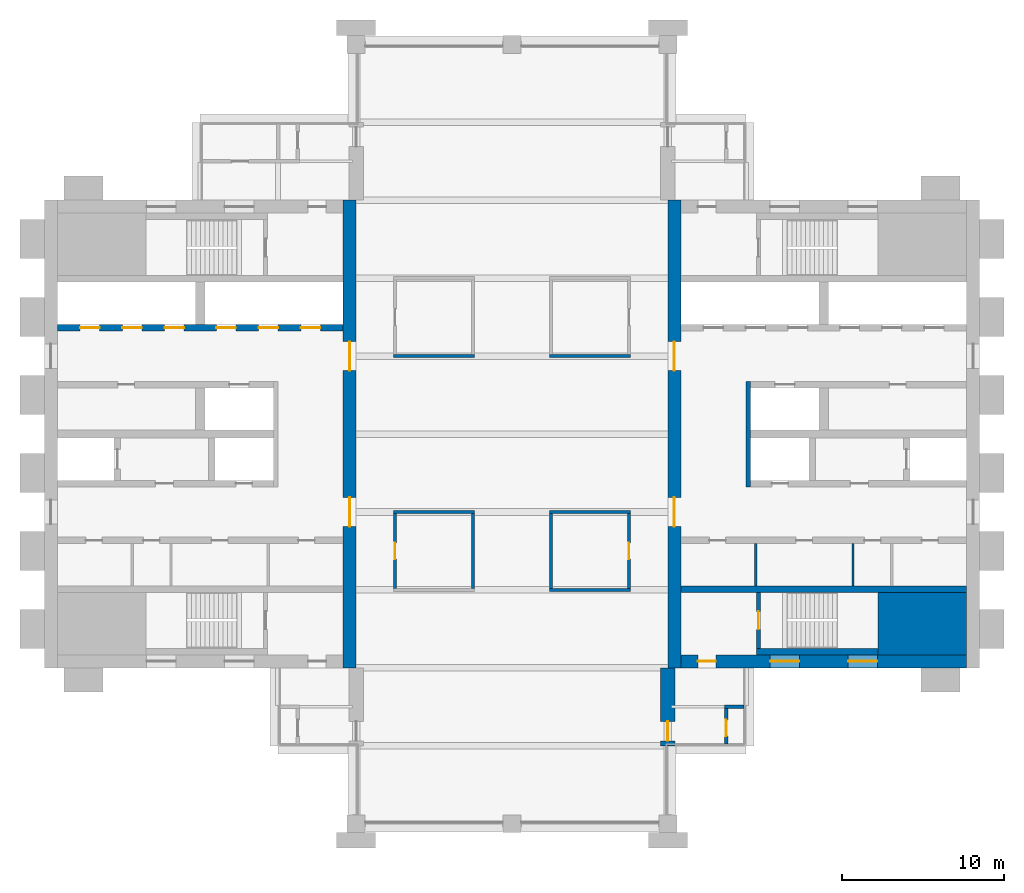
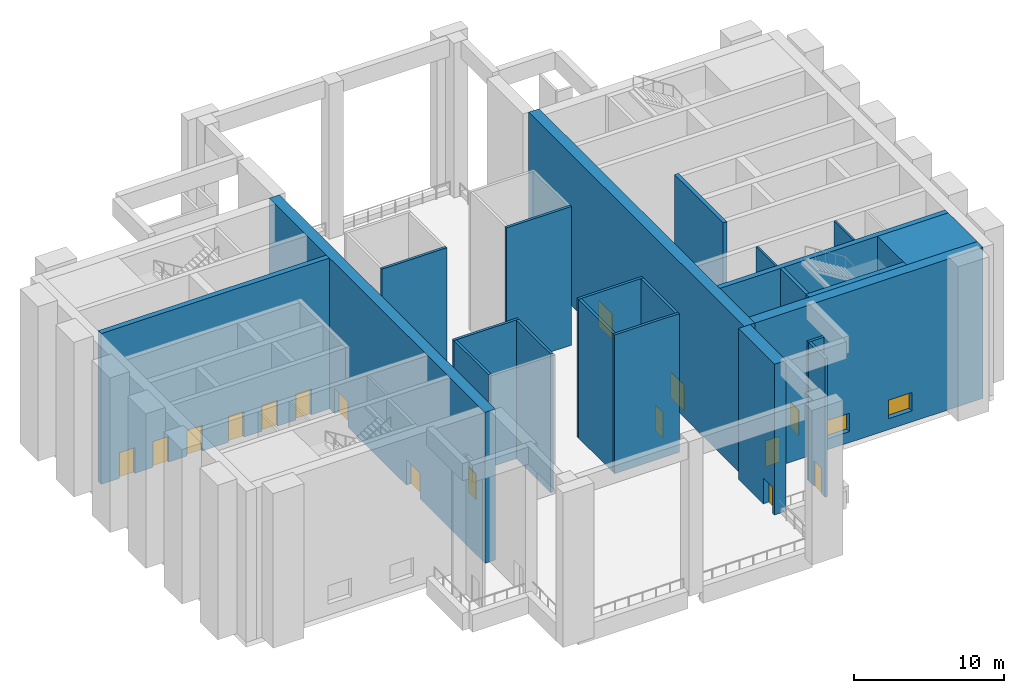
# One storey, part 3 of 8: 23 walls, 16 doors, 2 windows, 18 openings.
"""IFC4 building model written with IfcOpenShell, lengths in metres."""

from ifc_helpers import new_model, si_unit, direction, frame, frame_2d, origin, place, context, subcontext, project, spatial, rectangle, extrude, material, layer, layer_set, type_object, element, fill, save


model = new_model("IFC4")

# Units and contexts
model_context = context("Model", 3, precision=1e-05, world=origin(), true_north=direction((0.0, 1.0)))
body_context = subcontext(model_context, "Body", "Model", "MODEL_VIEW")
ifc_project = project(units=[si_unit("LENGTHUNIT", "METRE"), si_unit("AREAUNIT", "SQUARE_METRE"), si_unit("VOLUMEUNIT", "CUBIC_METRE"), si_unit("PLANEANGLEUNIT", "RADIAN"), si_unit("MASSUNIT", "GRAM", prefix="KILO")], contexts=[model_context])

# Site, building, storey
site_placement = place(None, origin())
site = spatial("IfcSite", under=ifc_project, at=site_placement, CompositionType="ELEMENT")
building_placement = place(site_placement, origin())
building = spatial("IfcBuilding", under=site, at=building_placement, Name="Baori Bourse Tower", CompositionType="ELEMENT")
storey_placement = place(building_placement, frame((0.0, 0.0, 269.699951171875)))
storey = spatial("IfcBuildingStorey", under=building, at=storey_placement, Name="L60", CompositionType="ELEMENT", Elevation=269.699951171875)

# Walls
ifc_material_1 = material(Name="Concrete f'c 50 MPa", Category="concrete")
wall_type_1 = type_object("IfcWallType", Name="Core corner block f'c 50", PredefinedType="SHEAR", material=ifc_material_1)
wall_1_placement = place(storey_placement, frame((51.35009765625, 12.324951171875, 0.0), z_axis=(0.0, 0.0, 1.0), x_axis=(1.0, 0.0, 0.0)))
element("IfcWall", 1, at=wall_1_placement, inside=storey, type_object=wall_type_1, Name="Core wall E04", PredefinedType="SHEAR", context=body_context, shape_type="SweptSolid", body=[
    extrude(rectangle(XDim=5.449951171875, YDim=3.85009765625, at=frame_2d((2.72509765625, 0.0))), origin(), (0.0, 0.0, 1.0), 12.300048828125),
])
ifc_material_2 = material(Name="Blockwork partition", Category="masonry")
ifc_layer_1 = layer(ifc_material_2, 0.14990234375)
ifc_layer_set_1 = layer_set([ifc_layer_1], Name="Core partition 150")
wall_type_2 = type_object("IfcWallType", Name="Core partition 150", PredefinedType="PARTITIONING", material=ifc_layer_set_1)
for number, where, z_axis, x_axis, name in (
    (2, (49.800048828125, 14.64990234375, 0.0), (0.0, 0.0, 1.0), (0.0, 1.0, 0.0), "Partition wall E09"),
    (3, (43.800048828125, 14.64990234375, 0.0), (0.0, 0.0, 1.0), (0.0, 1.0, 0.0), "Partition wall E10"),
):
    element("IfcWall", number, at=place(storey_placement, frame(where, z_axis=z_axis, x_axis=x_axis)), inside=storey, type_object=wall_type_2, Name=name, PredefinedType="PARTITIONING", context=body_context, shape_type="SweptSolid", body=[
        extrude(rectangle(XDim=2.60009765625, YDim=0.14990234375, at=frame_2d((1.300048828125, 0.0))), origin(), (0.0, 0.0, 1.0), 12.300048828125),
    ])

# Wall, openings, doors
ifc_material_3 = material(Name="Concrete f'c 50 MPa", Category="concrete")
ifc_layer_2 = layer(ifc_material_3, 0.800048828125)
ifc_layer_set_2 = layer_set([ifc_layer_2], Name="Core wall 800 f'c 50")
wall_type_3 = type_object("IfcWallType", Name="Core wall 800 f'c 50", PredefinedType="SHEAR", material=ifc_layer_set_2)
wall_2_placement = place(storey_placement, frame((18.800048828125, 38.39990234375, 0.0), z_axis=(0.0, 0.0, 1.0), x_axis=(0.0, -1.0, 0.0)))
wall_2 = element("IfcWall", 4, at=wall_2_placement, inside=storey, type_object=wall_type_3, Name="Core wall W03", PredefinedType="SHEAR", context=body_context, shape_type="SweptSolid", body=[
    extrude(rectangle(XDim=28.7998046875, YDim=0.800048828125, at=frame_2d((14.39990234375, 0.0))), origin(), (0.0, 0.0, 1.0), 12.300048828125),
])
opening_1_placement = place(wall_2_placement, frame((18.300048828125, 0.0, 0.0)))
opening_1 = element("IfcOpeningElement", 5, at=opening_1_placement, cuts=wall_2, Name="Opening L60-D107", PredefinedType="OPENING", context=body_context, shape_type="SweptSolid", body=[
    extrude(rectangle(XDim=1.800048828125, YDim=2.10009765625, at=frame_2d((0.89990234375, 1.050048828125))), frame((0.0, 0.409912109375, 0.0), z_axis=(0.0, -1.0, 0.0), x_axis=(1.0, 0.0, 0.0)), (0.0, 0.0, 1.0), 0.820068359375),
])
opening_2_placement = place(wall_2_placement, frame((8.699951171875, 0.0, 0.0)))
opening_2 = element("IfcOpeningElement", 6, at=opening_2_placement, cuts=wall_2, Name="Opening L60-D108", PredefinedType="OPENING", context=body_context, shape_type="SweptSolid", body=[
    extrude(rectangle(XDim=1.800048828125, YDim=2.10009765625, at=frame_2d((0.89990234375, 1.050048828125))), frame((0.0, 0.409912109375, 0.0), z_axis=(0.0, -1.0, 0.0), x_axis=(1.0, 0.0, 0.0)), (0.0, 0.0, 1.0), 0.820068359375),
])
ifc_material_4 = material(Name="Painted steel door", Category="steel")
door_type_1 = type_object("IfcDoorType", Name="Core lobby door 1800", OperationType="DOUBLE_DOOR_SINGLE_SWING", PredefinedType="DOOR", material=ifc_material_4)
door_1_placement = place(opening_1_placement, origin())
door_1 = element("IfcDoor", 7, at=door_1_placement, inside=storey, type_object=door_type_1, Name="Lobby door W L60", OperationType="DOUBLE_DOOR_SINGLE_SWING", OverallHeight=2.10009765625, OverallWidth=1.800048828125, PredefinedType="DOOR", context=body_context, shape_type="SweptSolid", body=[
    extrude(rectangle(XDim=1.800048828125, YDim=2.10009765625, at=frame_2d((0.89990234375, 1.050048828125))), frame((0.0, 0.02490234375, 0.0), z_axis=(0.0, -1.0, 0.0), x_axis=(1.0, 0.0, 0.0)), (0.0, 0.0, 1.0), 0.050048828125),
])
fill(opening_1, door_1)
door_2_placement = place(opening_2_placement, origin())
door_2 = element("IfcDoor", 8, at=door_2_placement, inside=storey, type_object=door_type_1, Name="Lobby door W L60", OperationType="DOUBLE_DOOR_SINGLE_SWING", OverallHeight=2.10009765625, OverallWidth=1.800048828125, PredefinedType="DOOR", context=body_context, shape_type="SweptSolid", body=[
    extrude(rectangle(XDim=1.800048828125, YDim=2.10009765625, at=frame_2d((0.89990234375, 1.050048828125))), frame((0.0, 0.02490234375, 0.0), z_axis=(0.0, -1.0, 0.0), x_axis=(1.0, 0.0, 0.0)), (0.0, 0.0, 1.0), 0.050048828125),
])
fill(opening_2, door_2)

# Wall, openings, door, windows
wall_3_placement = place(storey_placement, frame((56.800048828125, 10.0, 0.0), z_axis=(0.0, 0.0, 1.0), x_axis=(-1.0, 0.0, 0.0)))
wall_3 = element("IfcWall", 9, at=wall_3_placement, inside=storey, type_object=wall_type_3, Name="Core wall E02", PredefinedType="SHEAR", context=body_context, shape_type="SweptSolid", body=[
    extrude(rectangle(XDim=17.60009765625, YDim=0.800048828125, at=frame_2d((8.800048828125, 0.0))), origin(), (0.0, 0.0, 1.0), 12.300048828125),
])
opening_3_placement = place(wall_3_placement, frame((15.449951171875, 0.0, 0.0)))
opening_3 = element("IfcOpeningElement", 10, at=opening_3_placement, cuts=wall_3, Name="Opening L60-D202", PredefinedType="OPENING", context=body_context, shape_type="SweptSolid", body=[
    extrude(rectangle(XDim=1.10009765625, YDim=2.10009765625, at=frame_2d((0.550048828125, 1.050048828125))), frame((0.0, 0.409912109375, 0.0), z_axis=(0.0, -1.0, 0.0), x_axis=(1.0, 0.0, 0.0)), (0.0, 0.0, 1.0), 0.820068359375),
])
opening_4_placement = place(wall_3_placement, frame((5.5, 0.0, 0.89990234375)))
opening_4 = element("IfcOpeningElement", 11, at=opening_4_placement, cuts=wall_3, Name="Opening L60-KW203", PredefinedType="OPENING", context=body_context, shape_type="SweptSolid", body=[
    extrude(rectangle(XDim=1.800048828125, YDim=1.5, at=frame_2d((0.89990234375, 0.75))), frame((0.0, 0.409912109375, 0.0), z_axis=(0.0, -1.0, 0.0), x_axis=(1.0, 0.0, 0.0)), (0.0, 0.0, 1.0), 0.820068359375),
])
opening_5_placement = place(wall_3_placement, frame((10.300048828125, 0.0, 0.89990234375)))
opening_5 = element("IfcOpeningElement", 12, at=opening_5_placement, cuts=wall_3, Name="Opening L60-KW204", PredefinedType="OPENING", context=body_context, shape_type="SweptSolid", body=[
    extrude(rectangle(XDim=1.800048828125, YDim=1.5, at=frame_2d((0.89990234375, 0.75))), frame((0.0, 0.409912109375, 0.0), z_axis=(0.0, -1.0, 0.0), x_axis=(1.0, 0.0, 0.0)), (0.0, 0.0, 1.0), 0.820068359375),
])
ifc_material_5 = material(Name="Painted steel door", Category="steel")
door_type_2 = type_object("IfcDoorType", Name="Stair door 1100", OperationType="SINGLE_SWING_LEFT", PredefinedType="DOOR", material=ifc_material_5)
door_3_placement = place(opening_3_placement, origin())
door_3 = element("IfcDoor", 13, at=door_3_placement, inside=storey, type_object=door_type_2, Name="Stair vestibule door A E L60", OperationType="SINGLE_SWING_LEFT", OverallHeight=2.10009765625, OverallWidth=1.10009765625, PredefinedType="DOOR", context=body_context, shape_type="SweptSolid", body=[
    extrude(rectangle(XDim=1.10009765625, YDim=2.10009765625, at=frame_2d((0.550048828125, 1.050048828125))), frame((0.0, 0.02490234375, 0.0), z_axis=(0.0, -1.0, 0.0), x_axis=(1.0, 0.0, 0.0)), (0.0, 0.0, 1.0), 0.050048828125),
])
fill(opening_3, door_3)
ifc_material_6 = material(Name="Pale anodised aluminium", Category="aluminium")
window_type = type_object("IfcWindowType", Name="Stair window 1800 x 1500", PartitioningType="SINGLE_PANEL", PredefinedType="WINDOW", material=ifc_material_6)
window_1_placement = place(opening_4_placement, origin())
window_1 = element("IfcWindow", 14, at=window_1_placement, inside=storey, type_object=window_type, Name="Stair window E L60 3", OverallHeight=1.5, OverallWidth=1.800048828125, PartitioningType="SINGLE_PANEL", PredefinedType="WINDOW", context=body_context, shape_type="SweptSolid", body=[
    extrude(rectangle(XDim=1.800048828125, YDim=1.5, at=frame_2d((0.89990234375, 0.75))), frame((0.0, 0.030029296875, 0.0), z_axis=(0.0, -1.0, 0.0), x_axis=(1.0, 0.0, 0.0)), (0.0, 0.0, 1.0), 0.06005859375),
])
fill(opening_4, window_1)
window_2_placement = place(opening_5_placement, origin())
window_2 = element("IfcWindow", 15, at=window_2_placement, inside=storey, type_object=window_type, Name="Stair window E L60 4", OverallHeight=1.5, OverallWidth=1.800048828125, PartitioningType="SINGLE_PANEL", PredefinedType="WINDOW", context=body_context, shape_type="SweptSolid", body=[
    extrude(rectangle(XDim=1.800048828125, YDim=1.5, at=frame_2d((0.89990234375, 0.75))), frame((0.0, 0.030029296875, 0.0), z_axis=(0.0, -1.0, 0.0), x_axis=(1.0, 0.0, 0.0)), (0.0, 0.0, 1.0), 0.06005859375),
])
fill(opening_5, window_2)

# Wall, openings, doors
wall_4_placement = place(storey_placement, frame((38.800048828125, 9.60009765625, 0.0), z_axis=(0.0, 0.0, 1.0), x_axis=(0.0, 1.0, 0.0)))
wall_4 = element("IfcWall", 16, at=wall_4_placement, inside=storey, type_object=wall_type_3, Name="Core wall E03", PredefinedType="SHEAR", context=body_context, shape_type="SweptSolid", body=[
    extrude(rectangle(XDim=28.7998046875, YDim=0.800048828125, at=frame_2d((14.39990234375, 0.0))), origin(), (0.0, 0.0, 1.0), 12.300048828125),
])
opening_6_placement = place(wall_4_placement, frame((8.699951171875, 0.0, 0.0)))
opening_6 = element("IfcOpeningElement", 17, at=opening_6_placement, cuts=wall_4, Name="Opening L60-D207", PredefinedType="OPENING", context=body_context, shape_type="SweptSolid", body=[
    extrude(rectangle(XDim=1.800048828125, YDim=2.10009765625, at=frame_2d((0.89990234375, 1.050048828125))), frame((0.0, 0.409912109375, 0.0), z_axis=(0.0, -1.0, 0.0), x_axis=(1.0, 0.0, 0.0)), (0.0, 0.0, 1.0), 0.820068359375),
])
opening_7_placement = place(wall_4_placement, frame((18.300048828125, 0.0, 0.0)))
opening_7 = element("IfcOpeningElement", 18, at=opening_7_placement, cuts=wall_4, Name="Opening L60-D208", PredefinedType="OPENING", context=body_context, shape_type="SweptSolid", body=[
    extrude(rectangle(XDim=1.800048828125, YDim=2.10009765625, at=frame_2d((0.89990234375, 1.050048828125))), frame((0.0, 0.409912109375, 0.0), z_axis=(0.0, -1.0, 0.0), x_axis=(1.0, 0.0, 0.0)), (0.0, 0.0, 1.0), 0.820068359375),
])
door_4_placement = place(opening_6_placement, origin())
door_4 = element("IfcDoor", 19, at=door_4_placement, inside=storey, type_object=door_type_1, Name="Lobby door E L60", OperationType="DOUBLE_DOOR_SINGLE_SWING", OverallHeight=2.10009765625, OverallWidth=1.800048828125, PredefinedType="DOOR", context=body_context, shape_type="SweptSolid", body=[
    extrude(rectangle(XDim=1.800048828125, YDim=2.10009765625, at=frame_2d((0.89990234375, 1.050048828125))), frame((0.0, 0.02490234375, 0.0), z_axis=(0.0, -1.0, 0.0), x_axis=(1.0, 0.0, 0.0)), (0.0, 0.0, 1.0), 0.050048828125),
])
fill(opening_6, door_4)
door_5_placement = place(opening_7_placement, origin())
door_5 = element("IfcDoor", 20, at=door_5_placement, inside=storey, type_object=door_type_1, Name="Lobby door E L60", OperationType="DOUBLE_DOOR_SINGLE_SWING", OverallHeight=2.10009765625, OverallWidth=1.800048828125, PredefinedType="DOOR", context=body_context, shape_type="SweptSolid", body=[
    extrude(rectangle(XDim=1.800048828125, YDim=2.10009765625, at=frame_2d((0.89990234375, 1.050048828125))), frame((0.0, 0.02490234375, 0.0), z_axis=(0.0, -1.0, 0.0), x_axis=(1.0, 0.0, 0.0)), (0.0, 0.0, 1.0), 0.050048828125),
])
fill(opening_7, door_5)

# Wall, opening, door
ifc_material_7 = material(Name="Concrete f'c 50 MPa", Category="concrete")
ifc_layer_3 = layer(ifc_material_7, 0.89990234375)
ifc_layer_set_3 = layer_set([ifc_layer_3], Name="Outrigger wall 900 50")
wall_type_4 = type_object("IfcWallType", Name="Outrigger wall 900 50", PredefinedType="SHEAR", material=ifc_layer_set_3)
wall_5_placement = place(storey_placement, frame((38.39990234375, 4.800048828125, 0.0), z_axis=(0.0, 0.0, 1.0), x_axis=(0.0, 1.0, 0.0)))
wall_5 = element("IfcWall", 21, at=wall_5_placement, inside=storey, type_object=wall_type_4, Name="Outrigger wall L60", PredefinedType="SHEAR", context=body_context, shape_type="SweptSolid", body=[
    extrude(rectangle(XDim=4.800048828125, YDim=0.89990234375, at=frame_2d((2.39990234375, 0.0))), origin(), (0.0, 0.0, 1.0), 12.300048828125),
])
opening_8_placement = place(wall_5_placement, frame((0.300048828125, 0.0, 0.0)))
opening_8 = element("IfcOpeningElement", 22, at=opening_8_placement, cuts=wall_5, Name="Opening L60-D12", PredefinedType="OPENING", context=body_context, shape_type="SweptSolid", body=[
    extrude(rectangle(XDim=1.199951171875, YDim=2.10009765625, at=frame_2d((0.60009765625, 1.050048828125))), frame((0.0, 0.4599609375, 0.0), z_axis=(0.0, -1.0, 0.0), x_axis=(1.0, 0.0, 0.0)), (0.0, 0.0, 1.0), 0.919921875),
])
ifc_material_8 = material(Name="Timber door leaf", Category="wood")
door_type_3 = type_object("IfcDoorType", Name="Door 1200 x 2100", OperationType="SINGLE_SWING_LEFT", PredefinedType="DOOR", material=ifc_material_8)
door_6_placement = place(opening_8_placement, origin())
door_6 = element("IfcDoor", 23, at=door_6_placement, inside=storey, type_object=door_type_3, Name="Door", OperationType="SINGLE_SWING_RIGHT", OverallHeight=2.10009765625, OverallWidth=1.199951171875, PredefinedType="DOOR", context=body_context, shape_type="SweptSolid", body=[
    extrude(rectangle(XDim=1.199951171875, YDim=2.10009765625, at=frame_2d((0.60009765625, 1.050048828125))), frame((0.0, 0.02490234375, 0.0), z_axis=(0.0, -1.0, 0.0), x_axis=(1.0, 0.0, 0.0)), (0.0, 0.0, 1.0), 0.050048828125),
])
fill(opening_8, door_6)

# Walls
ifc_material_9 = material(Name="Gypsum board partition")
ifc_layer_4 = layer(ifc_material_9, 0.199951171875)
ifc_layer_set_4 = layer_set([ifc_layer_4], Name="Plant room wall 200")
wall_type_5 = type_object("IfcWallType", Name="Plant room wall 200", PredefinedType="PARTITIONING", material=ifc_layer_set_4)
wall_6_placement = place(storey_placement, frame((41.89990234375, 7.199951171875, 0.0), z_axis=(0.0, 0.0, 1.0), x_axis=(1.0, 0.0, 0.0)))
element("IfcWall", 24, at=wall_6_placement, inside=storey, type_object=wall_type_5, Name="Partition", PredefinedType="PARTITIONING", context=body_context, shape_type="SweptSolid", body=[
    extrude(rectangle(XDim=1.2001953125, YDim=0.199951171875, at=frame_2d((0.60009765625, 0.0))), origin(), (0.0, 0.0, 1.0), 11.3095703125),
])
for number, where, z_axis, x_axis, name in (
    (25, (31.10009765625, 14.39990234375, 0.0), (0.0, 0.0, 1.0), (1.0, 0.0, 0.0), "Partition"),
    (26, (21.5, 19.199951171875, 0.0), (0.0, 0.0, 1.0), (1.0, 0.0, 0.0), "Partition"),
    (27, (31.10009765625, 19.199951171875, 0.0), (0.0, 0.0, 1.0), (1.0, 0.0, 0.0), "Partition"),
    (28, (21.5, 28.800048828125, 0.0), (0.0, 0.0, 1.0), (1.0, 0.0, 0.0), "Partition"),
    (29, (31.10009765625, 28.800048828125, 0.0), (0.0, 0.0, 1.0), (1.0, 0.0, 0.0), "Partition"),
):
    element("IfcWall", number, at=place(storey_placement, frame(where, z_axis=z_axis, x_axis=x_axis)), inside=storey, type_object=wall_type_5, Name=name, PredefinedType="PARTITIONING", context=body_context, shape_type="SweptSolid", body=[
        extrude(rectangle(XDim=5.0, YDim=0.199951171875, at=frame_2d((2.5, 0.0))), origin(), (0.0, 0.0, 1.0), 11.3095703125),
    ])

# Wall, opening, door
wall_7_placement = place(storey_placement, frame((21.60009765625, 14.5, 0.0), z_axis=(0.0, 0.0, 1.0), x_axis=(0.0, 1.0, 0.0)))
wall_7 = element("IfcWall", 30, at=wall_7_placement, inside=storey, type_object=wall_type_5, Name="Partition", PredefinedType="PARTITIONING", context=body_context, shape_type="SweptSolid", body=[
    extrude(rectangle(XDim=4.60009765625, YDim=0.199951171875, at=frame_2d((2.300048828125, 0.0))), origin(), (0.0, 0.0, 1.0), 11.3095703125),
])
opening_9_placement = place(wall_7_placement, frame((1.800048828125, 0.0, 0.0)))
opening_9 = element("IfcOpeningElement", 31, at=opening_9_placement, cuts=wall_7, Name="Opening L60-D04", PredefinedType="OPENING", context=body_context, shape_type="SweptSolid", body=[
    extrude(rectangle(XDim=1.0, YDim=2.10009765625, at=frame_2d((0.5, 1.050048828125))), frame((0.0, 0.10986328125, 0.0), z_axis=(0.0, -1.0, 0.0), x_axis=(1.0, 0.0, 0.0)), (0.0, 0.0, 1.0), 0.219970703125),
])
ifc_material_10 = material(Name="Timber door leaf", Category="wood")
door_type_4 = type_object("IfcDoorType", Name="Door 1000 x 2100", OperationType="SINGLE_SWING_LEFT", PredefinedType="DOOR", material=ifc_material_10)
door_7_placement = place(opening_9_placement, origin())
door_7 = element("IfcDoor", 32, at=door_7_placement, inside=storey, type_object=door_type_4, Name="Door", OperationType="SINGLE_SWING_LEFT", OverallHeight=2.10009765625, OverallWidth=1.0, PredefinedType="DOOR", context=body_context, shape_type="SweptSolid", body=[
    extrude(rectangle(XDim=1.0, YDim=2.10009765625, at=frame_2d((0.5, 1.050048828125))), frame((0.0, 0.02490234375, 0.0), z_axis=(0.0, -1.0, 0.0), x_axis=(1.0, 0.0, 0.0)), (0.0, 0.0, 1.0), 0.050048828125),
])
fill(opening_9, door_7)

# Walls
for number, where, z_axis, x_axis, name in (
    (33, (26.39990234375, 14.5, 0.0), (0.0, 0.0, 1.0), (0.0, 1.0, 0.0), "Partition"),
    (34, (31.199951171875, 14.5, 0.0), (0.0, 0.0, 1.0), (0.0, 1.0, 0.0), "Partition"),
):
    element("IfcWall", number, at=place(storey_placement, frame(where, z_axis=z_axis, x_axis=x_axis)), inside=storey, type_object=wall_type_5, Name=name, PredefinedType="PARTITIONING", context=body_context, shape_type="SweptSolid", body=[
        extrude(rectangle(XDim=4.60009765625, YDim=0.199951171875, at=frame_2d((2.300048828125, 0.0))), origin(), (0.0, 0.0, 1.0), 11.3095703125),
    ])

# Wall, opening, door
wall_8_placement = place(storey_placement, frame((36.0, 14.5, 0.0), z_axis=(0.0, 0.0, 1.0), x_axis=(0.0, 1.0, 0.0)))
wall_8 = element("IfcWall", 35, at=wall_8_placement, inside=storey, type_object=wall_type_5, Name="Partition", PredefinedType="PARTITIONING", context=body_context, shape_type="SweptSolid", body=[
    extrude(rectangle(XDim=4.60009765625, YDim=0.199951171875, at=frame_2d((2.300048828125, 0.0))), origin(), (0.0, 0.0, 1.0), 11.3095703125),
])
opening_10_placement = place(wall_8_placement, frame((1.800048828125, 0.0, 0.0)))
opening_10 = element("IfcOpeningElement", 36, at=opening_10_placement, cuts=wall_8, Name="Opening L60-D06", PredefinedType="OPENING", context=body_context, shape_type="SweptSolid", body=[
    extrude(rectangle(XDim=1.0, YDim=2.10009765625, at=frame_2d((0.5, 1.050048828125))), frame((0.0, 0.10986328125, 0.0), z_axis=(0.0, -1.0, 0.0), x_axis=(1.0, 0.0, 0.0)), (0.0, 0.0, 1.0), 0.219970703125),
])
door_8_placement = place(opening_10_placement, origin())
door_8 = element("IfcDoor", 37, at=door_8_placement, inside=storey, type_object=door_type_4, Name="Door", OperationType="SINGLE_SWING_RIGHT", OverallHeight=2.10009765625, OverallWidth=1.0, PredefinedType="DOOR", context=body_context, shape_type="SweptSolid", body=[
    extrude(rectangle(XDim=1.0, YDim=2.10009765625, at=frame_2d((0.5, 1.050048828125))), frame((0.0, 0.02490234375, 0.0), z_axis=(0.0, -1.0, 0.0), x_axis=(1.0, 0.0, 0.0)), (0.0, 0.0, 1.0), 0.050048828125),
])
fill(opening_10, door_8)

wall_9_placement = place(storey_placement, frame((42.0, 4.89990234375, 0.0), z_axis=(0.0, 0.0, 1.0), x_axis=(0.0, 1.0, 0.0)))
wall_9 = element("IfcWall", 38, at=wall_9_placement, inside=storey, type_object=wall_type_5, Name="Partition", PredefinedType="PARTITIONING", context=body_context, shape_type="SweptSolid", body=[
    extrude(rectangle(XDim=2.2001953125, YDim=0.199951171875, at=frame_2d((1.10009765625, 0.0))), origin(), (0.0, 0.0, 1.0), 11.3095703125),
])
opening_11_placement = place(wall_9_placement, frame((0.5, 0.0, 0.0)))
opening_11 = element("IfcOpeningElement", 39, at=opening_11_placement, cuts=wall_9, Name="Opening L60-D08", PredefinedType="OPENING", context=body_context, shape_type="SweptSolid", body=[
    extrude(rectangle(XDim=1.0, YDim=2.10009765625, at=frame_2d((0.5, 1.050048828125))), frame((0.0, 0.10986328125, 0.0), z_axis=(0.0, -1.0, 0.0), x_axis=(1.0, 0.0, 0.0)), (0.0, 0.0, 1.0), 0.219970703125),
])
door_9_placement = place(opening_11_placement, origin())
door_9 = element("IfcDoor", 40, at=door_9_placement, inside=storey, type_object=door_type_4, Name="Door", OperationType="SINGLE_SWING_LEFT", OverallHeight=2.10009765625, OverallWidth=1.0, PredefinedType="DOOR", context=body_context, shape_type="SweptSolid", body=[
    extrude(rectangle(XDim=1.0, YDim=2.10009765625, at=frame_2d((0.5, 1.050048828125))), frame((0.0, 0.02490234375, 0.0), z_axis=(0.0, -1.0, 0.0), x_axis=(1.0, 0.0, 0.0)), (0.0, 0.0, 1.0), 0.050048828125),
])
fill(opening_11, door_9)

ifc_material_11 = material(Name="Concrete f'c 50 MPa", Category="concrete")
ifc_layer_5 = layer(ifc_material_11, 0.25)
ifc_layer_set_5 = layer_set([ifc_layer_5], Name="Shaft wall 250 f'c 50")
wall_type_6 = type_object("IfcWallType", Name="Shaft wall 250 f'c 50", PredefinedType="SHEAR", material=ifc_layer_set_5)
wall_10_placement = place(storey_placement, frame((43.97509765625, 10.800048828125, 0.0), z_axis=(0.0, 0.0, 1.0), x_axis=(0.0, 1.0, 0.0)))
wall_10 = element("IfcWall", 41, at=wall_10_placement, inside=storey, type_object=wall_type_6, Name="Core wall E06", PredefinedType="SHEAR", context=body_context, shape_type="SweptSolid", body=[
    extrude(rectangle(XDim=3.449951171875, YDim=0.25, at=frame_2d((1.72509765625, 0.0))), origin(), (0.0, 0.0, 1.0), 12.300048828125),
])
opening_12_placement = place(wall_10_placement, frame((1.175048828125, 0.0, 0.0)))
opening_12 = element("IfcOpeningElement", 42, at=opening_12_placement, cuts=wall_10, Name="Opening L60-D201", PredefinedType="OPENING", context=body_context, shape_type="SweptSolid", body=[
    extrude(rectangle(XDim=1.10009765625, YDim=2.10009765625, at=frame_2d((0.550048828125, 1.050048828125))), frame((0.0, 0.135009765625, 0.0), z_axis=(0.0, -1.0, 0.0), x_axis=(1.0, 0.0, 0.0)), (0.0, 0.0, 1.0), 0.27001953125),
])
door_10_placement = place(opening_12_placement, origin())
door_10 = element("IfcDoor", 43, at=door_10_placement, inside=storey, type_object=door_type_2, Name="Stair door A E L60", OperationType="SINGLE_SWING_LEFT", OverallHeight=2.10009765625, OverallWidth=1.10009765625, PredefinedType="DOOR", context=body_context, shape_type="SweptSolid", body=[
    extrude(rectangle(XDim=1.10009765625, YDim=2.10009765625, at=frame_2d((0.550048828125, 1.050048828125))), frame((0.0, 0.02490234375, 0.0), z_axis=(0.0, -1.0, 0.0), x_axis=(1.0, 0.0, 0.0)), (0.0, 0.0, 1.0), 0.050048828125),
])
fill(opening_12, door_10)

# Wall
ifc_material_12 = material(Name="Concrete f'c 50 MPa", Category="concrete")
ifc_layer_6 = layer(ifc_material_12, 0.300048828125)
ifc_layer_set_6 = layer_set([ifc_layer_6], Name="Shaft wall 300 f'c 50")
wall_type_7 = type_object("IfcWallType", Name="Shaft wall 300 f'c 50", PredefinedType="SHEAR", material=ifc_layer_set_6)
wall_11_placement = place(storey_placement, frame((43.35009765625, 20.75, 0.0), z_axis=(0.0, 0.0, 1.0), x_axis=(0.0, 1.0, 0.0)))
element("IfcWall", 44, at=wall_11_placement, inside=storey, type_object=wall_type_7, Name="Core wall E13", PredefinedType="SHEAR", context=body_context, shape_type="SweptSolid", body=[
    extrude(rectangle(XDim=6.5, YDim=0.300048828125, at=frame_2d((3.25, 0.0))), origin(), (0.0, 0.0, 1.0), 12.300048828125),
])

# Wall, openings, doors
ifc_material_13 = material(Name="Concrete f'c 50 MPa", Category="concrete")
ifc_layer_7 = layer(ifc_material_13, 0.39990234375)
ifc_layer_set_7 = layer_set([ifc_layer_7], Name="Shaft wall 400 f'c 50")
wall_type_8 = type_object("IfcWallType", Name="Shaft wall 400 f'c 50", PredefinedType="SHEAR", material=ifc_layer_set_7)
wall_12_placement = place(storey_placement, frame((0.800048828125, 30.550048828125, 0.0), z_axis=(0.0, 0.0, 1.0), x_axis=(1.0, 0.0, 0.0)))
wall_12 = element("IfcWall", 45, at=wall_12_placement, inside=storey, type_object=wall_type_8, Name="Core wall W19", PredefinedType="SHEAR", context=body_context, shape_type="SweptSolid", body=[
    extrude(rectangle(XDim=17.599853515625, YDim=0.39990234375, at=frame_2d((8.7998046875, 0.0))), origin(), (0.0, 0.0, 1.0), 12.300048828125),
])
opening_13_placement = place(wall_12_placement, frame((1.39990234375, 0.0, 0.0)))
opening_13 = element("IfcOpeningElement", 46, at=opening_13_placement, cuts=wall_12, Name="Opening L60-D114", PredefinedType="OPENING", context=body_context, shape_type="SweptSolid", body=[
    extrude(rectangle(XDim=1.199951171875, YDim=2.10009765625, at=frame_2d((0.60009765625, 1.050048828125))), frame((0.0, 0.2099609375, 0.0), z_axis=(0.0, -1.0, 0.0), x_axis=(1.0, 0.0, 0.0)), (0.0, 0.0, 1.0), 0.419921875),
])
opening_14_placement = place(wall_12_placement, frame((4.0, 0.0, 0.0)))
opening_14 = element("IfcOpeningElement", 47, at=opening_14_placement, cuts=wall_12, Name="Opening L60-D115", PredefinedType="OPENING", context=body_context, shape_type="SweptSolid", body=[
    extrude(rectangle(XDim=1.199951171875, YDim=2.10009765625, at=frame_2d((0.60009765625, 1.050048828125))), frame((0.0, 0.2099609375, 0.0), z_axis=(0.0, -1.0, 0.0), x_axis=(1.0, 0.0, 0.0)), (0.0, 0.0, 1.0), 0.419921875),
])
opening_15_placement = place(wall_12_placement, frame((6.60009765625, 0.0, 0.0)))
opening_15 = element("IfcOpeningElement", 48, at=opening_15_placement, cuts=wall_12, Name="Opening L60-D116", PredefinedType="OPENING", context=body_context, shape_type="SweptSolid", body=[
    extrude(rectangle(XDim=1.199951171875, YDim=2.10009765625, at=frame_2d((0.60009765625, 1.050048828125))), frame((0.0, 0.2099609375, 0.0), z_axis=(0.0, -1.0, 0.0), x_axis=(1.0, 0.0, 0.0)), (0.0, 0.0, 1.0), 0.419921875),
])
opening_16_placement = place(wall_12_placement, frame((9.800048828125, 0.0, 0.0)))
opening_16 = element("IfcOpeningElement", 49, at=opening_16_placement, cuts=wall_12, Name="Opening L60-D117", PredefinedType="OPENING", context=body_context, shape_type="SweptSolid", body=[
    extrude(rectangle(XDim=1.199951171875, YDim=2.10009765625, at=frame_2d((0.60009765625, 1.050048828125))), frame((0.0, 0.2099609375, 0.0), z_axis=(0.0, -1.0, 0.0), x_axis=(1.0, 0.0, 0.0)), (0.0, 0.0, 1.0), 0.419921875),
])
opening_17_placement = place(wall_12_placement, frame((12.39990234375, 0.0, 0.0)))
opening_17 = element("IfcOpeningElement", 50, at=opening_17_placement, cuts=wall_12, Name="Opening L60-D118", PredefinedType="OPENING", context=body_context, shape_type="SweptSolid", body=[
    extrude(rectangle(XDim=1.199951171875, YDim=2.10009765625, at=frame_2d((0.60009765625, 1.050048828125))), frame((0.0, 0.2099609375, 0.0), z_axis=(0.0, -1.0, 0.0), x_axis=(1.0, 0.0, 0.0)), (0.0, 0.0, 1.0), 0.419921875),
])
opening_18_placement = place(wall_12_placement, frame((15.0, 0.0, 0.0)))
opening_18 = element("IfcOpeningElement", 51, at=opening_18_placement, cuts=wall_12, Name="Opening L60-D119", PredefinedType="OPENING", context=body_context, shape_type="SweptSolid", body=[
    extrude(rectangle(XDim=1.199951171875, YDim=2.10009765625, at=frame_2d((0.60009765625, 1.050048828125))), frame((0.0, 0.2099609375, 0.0), z_axis=(0.0, -1.0, 0.0), x_axis=(1.0, 0.0, 0.0)), (0.0, 0.0, 1.0), 0.419921875),
])
ifc_material_14 = material(Name="Stainless steel door", Category="steel")
door_type_5 = type_object("IfcDoorType", Name="Lift landing door", OperationType="DOUBLE_DOOR_SLIDING", PredefinedType="DOOR", material=ifc_material_14)
door_11_placement = place(opening_13_placement, origin())
door_11 = element("IfcDoor", 52, at=door_11_placement, inside=storey, type_object=door_type_5, Name="Lift landing door HR1 W L60", OperationType="DOUBLE_DOOR_SLIDING", OverallHeight=2.10009765625, OverallWidth=1.199951171875, PredefinedType="DOOR", context=body_context, shape_type="SweptSolid", body=[
    extrude(rectangle(XDim=1.199951171875, YDim=2.10009765625, at=frame_2d((0.60009765625, 1.050048828125))), frame((0.0, 0.02490234375, 0.0), z_axis=(0.0, -1.0, 0.0), x_axis=(1.0, 0.0, 0.0)), (0.0, 0.0, 1.0), 0.050048828125),
])
fill(opening_13, door_11)
door_12_placement = place(opening_14_placement, origin())
door_12 = element("IfcDoor", 53, at=door_12_placement, inside=storey, type_object=door_type_5, Name="Lift landing door HR2 W L60", OperationType="DOUBLE_DOOR_SLIDING", OverallHeight=2.10009765625, OverallWidth=1.199951171875, PredefinedType="DOOR", context=body_context, shape_type="SweptSolid", body=[
    extrude(rectangle(XDim=1.199951171875, YDim=2.10009765625, at=frame_2d((0.60009765625, 1.050048828125))), frame((0.0, 0.02490234375, 0.0), z_axis=(0.0, -1.0, 0.0), x_axis=(1.0, 0.0, 0.0)), (0.0, 0.0, 1.0), 0.050048828125),
])
fill(opening_14, door_12)
door_13_placement = place(opening_15_placement, origin())
door_13 = element("IfcDoor", 54, at=door_13_placement, inside=storey, type_object=door_type_5, Name="Lift landing door HR3 W L60", OperationType="DOUBLE_DOOR_SLIDING", OverallHeight=2.10009765625, OverallWidth=1.199951171875, PredefinedType="DOOR", context=body_context, shape_type="SweptSolid", body=[
    extrude(rectangle(XDim=1.199951171875, YDim=2.10009765625, at=frame_2d((0.60009765625, 1.050048828125))), frame((0.0, 0.02490234375, 0.0), z_axis=(0.0, -1.0, 0.0), x_axis=(1.0, 0.0, 0.0)), (0.0, 0.0, 1.0), 0.050048828125),
])
fill(opening_15, door_13)
door_14_placement = place(opening_16_placement, origin())
door_14 = element("IfcDoor", 55, at=door_14_placement, inside=storey, type_object=door_type_5, Name="Lift landing door HR4 W L60", OperationType="DOUBLE_DOOR_SLIDING", OverallHeight=2.10009765625, OverallWidth=1.199951171875, PredefinedType="DOOR", context=body_context, shape_type="SweptSolid", body=[
    extrude(rectangle(XDim=1.199951171875, YDim=2.10009765625, at=frame_2d((0.60009765625, 1.050048828125))), frame((0.0, 0.02490234375, 0.0), z_axis=(0.0, -1.0, 0.0), x_axis=(1.0, 0.0, 0.0)), (0.0, 0.0, 1.0), 0.050048828125),
])
fill(opening_16, door_14)
door_15_placement = place(opening_17_placement, origin())
door_15 = element("IfcDoor", 56, at=door_15_placement, inside=storey, type_object=door_type_5, Name="Lift landing door HR5 W L60", OperationType="DOUBLE_DOOR_SLIDING", OverallHeight=2.10009765625, OverallWidth=1.199951171875, PredefinedType="DOOR", context=body_context, shape_type="SweptSolid", body=[
    extrude(rectangle(XDim=1.199951171875, YDim=2.10009765625, at=frame_2d((0.60009765625, 1.050048828125))), frame((0.0, 0.02490234375, 0.0), z_axis=(0.0, -1.0, 0.0), x_axis=(1.0, 0.0, 0.0)), (0.0, 0.0, 1.0), 0.050048828125),
])
fill(opening_17, door_15)
door_16_placement = place(opening_18_placement, origin())
door_16 = element("IfcDoor", 57, at=door_16_placement, inside=storey, type_object=door_type_5, Name="Lift landing door HR6 W L60", OperationType="DOUBLE_DOOR_SLIDING", OverallHeight=2.10009765625, OverallWidth=1.199951171875, PredefinedType="DOOR", context=body_context, shape_type="SweptSolid", body=[
    extrude(rectangle(XDim=1.199951171875, YDim=2.10009765625, at=frame_2d((0.60009765625, 1.050048828125))), frame((0.0, 0.02490234375, 0.0), z_axis=(0.0, -1.0, 0.0), x_axis=(1.0, 0.0, 0.0)), (0.0, 0.0, 1.0), 0.050048828125),
])
fill(opening_18, door_16)

# Walls
wall_13_placement = place(storey_placement, frame((43.85009765625, 10.60009765625, 0.0), z_axis=(0.0, 0.0, 1.0), x_axis=(1.0, 0.0, 0.0)))
element("IfcWall", 58, at=wall_13_placement, inside=storey, type_object=wall_type_8, Name="Core wall E05", PredefinedType="SHEAR", context=body_context, shape_type="SweptSolid", body=[
    extrude(rectangle(XDim=7.5, YDim=0.39990234375, at=frame_2d((3.75, 0.0))), origin(), (0.0, 0.0, 1.0), 12.300048828125),
])
wall_14_placement = place(storey_placement, frame((39.199951171875, 14.449951171875, 0.0), z_axis=(0.0, 0.0, 1.0), x_axis=(1.0, 0.0, 0.0)))
element("IfcWall", 59, at=wall_14_placement, inside=storey, type_object=wall_type_8, Name="Core wall E07", PredefinedType="SHEAR", context=body_context, shape_type="SweptSolid", body=[
    extrude(rectangle(XDim=17.60009765625, YDim=0.39990234375, at=frame_2d((8.800048828125, 0.0))), origin(), (0.0, 0.0, 1.0), 12.300048828125),
])

save(model, "model.ifc")
